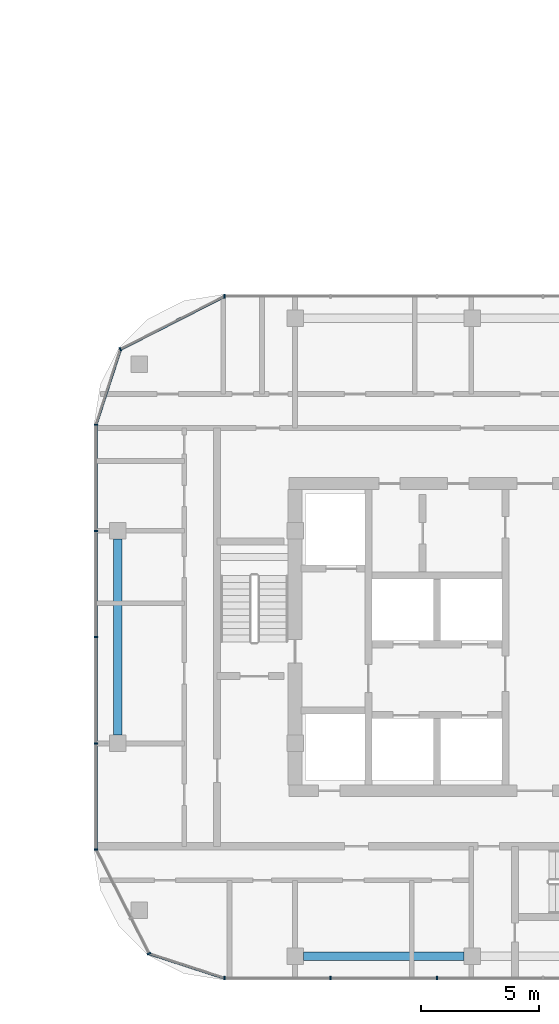
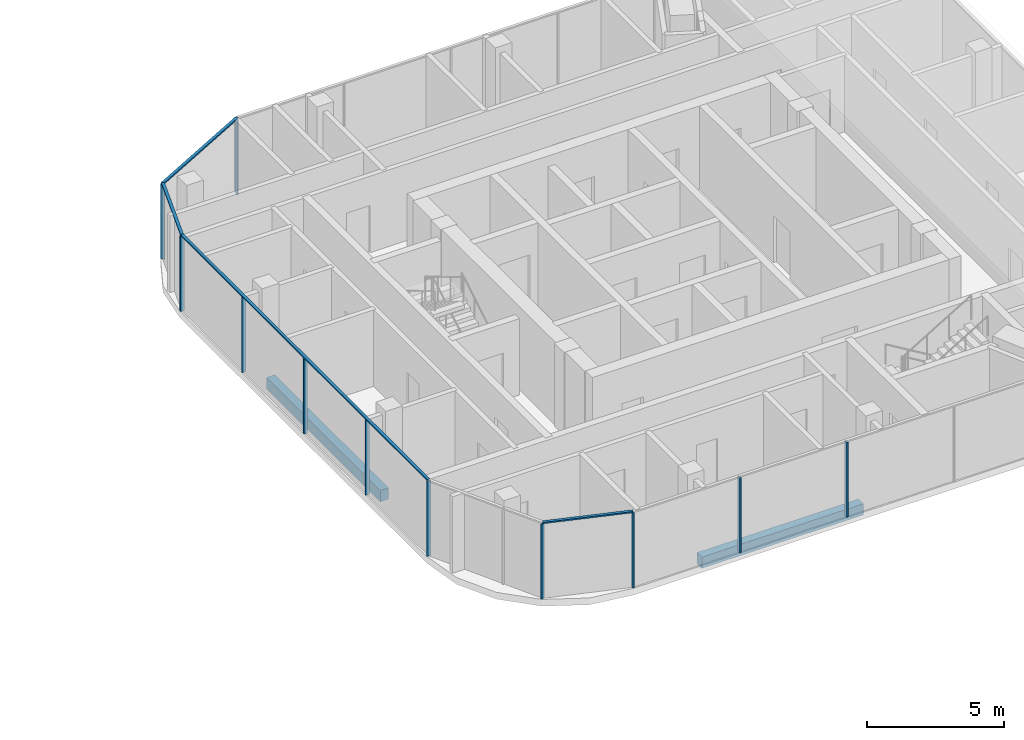
# One storey, part 7 of 35: 15 members, 2 beams, 5 elements without a shape of their own.
"""IFC4 building model written with IfcOpenShell, lengths in metres."""

from ifc_helpers import new_model, si_unit, direction, frame, origin, origin_2d, place, context, subcontext, project, spatial, rectangle, extrude, material, material_profile, profile_set, type_object, element, aggregate, save


model = new_model("IFC4")

# Units and contexts
model_context = context("Model", 3, precision=1e-05, world=origin(), true_north=direction((0.0, 1.0)))
body_context = subcontext(model_context, "Body", "Model", "MODEL_VIEW")
ifc_project = project(units=[si_unit("LENGTHUNIT", "METRE"), si_unit("AREAUNIT", "SQUARE_METRE"), si_unit("VOLUMEUNIT", "CUBIC_METRE"), si_unit("PLANEANGLEUNIT", "RADIAN"), si_unit("MASSUNIT", "GRAM", prefix="KILO")], contexts=[model_context])

# Site, building, storey
site_placement = place(None, origin())
site = spatial("IfcSite", under=ifc_project, at=site_placement, CompositionType="ELEMENT")
building_placement = place(site_placement, origin())
building = spatial("IfcBuilding", under=site, at=building_placement, Name="Ogive Portal Towers", CompositionType="ELEMENT")
storey_placement = place(building_placement, frame((0.0, 0.0, 90.800048828125)))
storey = spatial("IfcBuildingStorey", under=building, at=storey_placement, Name="L21", CompositionType="ELEMENT", Elevation=90.800048828125)

# Curtain wall, members
ifc_material_1 = material(Name="Glass, clear low-iron insulated glazing", Category="glass")
curtain_wall_type = type_object("IfcCurtainWallType", Name="CW RESIDENCES RIBBON", PredefinedType="NOTDEFINED", material=ifc_material_1)
curtain_wall_1_placement = place(storey_placement, origin())
curtain_wall_1 = element("IfcCurtainWall", 1, at=curtain_wall_1_placement, inside=storey, type_object=curtain_wall_type, Name="B:L21:f02:cw0", PredefinedType="NOTDEFINED")
ifc_material_2 = material(Name="Aluminium 6063 anodised", Category="aluminium")
ifc_material_profile_1 = material_profile(ifc_material_2, rectangle(XDim=0.159912109375, YDim=0.06005859375, at=origin_2d()), Name="AL 60x160")
ifc_profile_set_1 = profile_set([ifc_material_profile_1], Name="Aluminium 6063 anodised")
member_type_1 = type_object("IfcMemberType", Name="CW MULLION 60x160", PredefinedType="MULLION", material=ifc_profile_set_1)
member_1_placement = place(storey_placement, frame((126.0126953125, 16.570068359375, 0.0), z_axis=(0.0, 0.0, 1.0), x_axis=(0.0, 1.0, 0.0)))
member_1 = element("IfcMember", 2, at=member_1_placement, type_object=member_type_1, Name="mullion", PredefinedType="MULLION", context=body_context, shape_type="SweptSolid", body=[
    extrude(rectangle(XDim=0.159912109375, YDim=0.06005859375, at=origin_2d()), origin(), (0.0, 0.0, 1.0), 3.33984375),
])
member_2_placement = place(storey_placement, frame((130.5, 16.570068359375, 0.0), z_axis=(0.0, 0.0, 1.0), x_axis=(0.0, 1.0, 0.0)))
member_2 = element("IfcMember", 3, at=member_2_placement, type_object=member_type_1, Name="mullion", PredefinedType="MULLION", context=body_context, shape_type="SweptSolid", body=[
    extrude(rectangle(XDim=0.159912109375, YDim=0.06005859375, at=origin_2d()), origin(), (0.0, 0.0, 1.0), 3.33984375),
])
member_3_placement = place(storey_placement, frame((135.0, 16.570068359375, 0.0), z_axis=(0.0, 0.0, 1.0), x_axis=(0.0, 1.0, 0.0)))
member_3 = element("IfcMember", 4, at=member_3_placement, type_object=member_type_1, Name="mullion", PredefinedType="MULLION", context=body_context, shape_type="SweptSolid", body=[
    extrude(rectangle(XDim=0.159912109375, YDim=0.06005859375, at=origin_2d()), origin(), (0.0, 0.0, 1.0), 3.33984375),
])
aggregate(curtain_wall_1, [member_1, member_2, member_3])

# Curtain wall, member
curtain_wall_2_placement = place(storey_placement, origin())
curtain_wall_2 = element("IfcCurtainWall", 5, at=curtain_wall_2_placement, inside=storey, type_object=curtain_wall_type, Name="B:L21:f08:cw0", PredefinedType="NOTDEFINED")
member_4_placement = place(storey_placement, frame((126.019287109375, 45.429931640625, 0.0), z_axis=(0.0, 0.0, 1.0), x_axis=(0.0, -1.0, 0.0)))
member_4 = element("IfcMember", 6, at=member_4_placement, type_object=member_type_1, Name="mullion", PredefinedType="MULLION", context=body_context, shape_type="SweptSolid", body=[
    extrude(rectangle(XDim=0.159912109375, YDim=0.06005859375, at=origin_2d()), origin(), (0.0, 0.0, 1.0), 3.33984375),
])
aggregate(curtain_wall_2, [member_4])

# Curtain wall, members
curtain_wall_3_placement = place(storey_placement, origin())
curtain_wall_3 = element("IfcCurtainWall", 7, at=curtain_wall_3_placement, inside=storey, type_object=curtain_wall_type, Name="B:L21:f11:cw0", PredefinedType="NOTDEFINED")
member_5_placement = place(storey_placement, frame((120.570068359375, 39.9873046875, 0.0), z_axis=(0.0, 0.0, 1.0), x_axis=(1.0, 0.0, 0.0)))
member_5 = element("IfcMember", 8, at=member_5_placement, type_object=member_type_1, Name="mullion", PredefinedType="MULLION", context=body_context, shape_type="SweptSolid", body=[
    extrude(rectangle(XDim=0.159912109375, YDim=0.06005859375, at=origin_2d()), origin(), (0.0, 0.0, 1.0), 3.33984375),
])
member_6_placement = place(storey_placement, frame((120.570068359375, 35.5, 0.0), z_axis=(0.0, 0.0, 1.0), x_axis=(1.0, 0.0, 0.0)))
member_6 = element("IfcMember", 9, at=member_6_placement, type_object=member_type_1, Name="mullion", PredefinedType="MULLION", context=body_context, shape_type="SweptSolid", body=[
    extrude(rectangle(XDim=0.159912109375, YDim=0.06005859375, at=origin_2d()), origin(), (0.0, 0.0, 1.0), 3.33984375),
])
member_7_placement = place(storey_placement, frame((120.570068359375, 31.0, 0.0), z_axis=(0.0, 0.0, 1.0), x_axis=(1.0, 0.0, 0.0)))
member_7 = element("IfcMember", 10, at=member_7_placement, type_object=member_type_1, Name="mullion", PredefinedType="MULLION", context=body_context, shape_type="SweptSolid", body=[
    extrude(rectangle(XDim=0.159912109375, YDim=0.06005859375, at=origin_2d()), origin(), (0.0, 0.0, 1.0), 3.33984375),
])
member_8_placement = place(storey_placement, frame((120.570068359375, 26.5, 0.0), z_axis=(0.0, 0.0, 1.0), x_axis=(1.0, 0.0, 0.0)))
member_8 = element("IfcMember", 11, at=member_8_placement, type_object=member_type_1, Name="mullion", PredefinedType="MULLION", context=body_context, shape_type="SweptSolid", body=[
    extrude(rectangle(XDim=0.159912109375, YDim=0.06005859375, at=origin_2d()), origin(), (0.0, 0.0, 1.0), 3.33984375),
])
member_9_placement = place(storey_placement, frame((120.570068359375, 22.019287109375, 0.0), z_axis=(0.0, 0.0, 1.0), x_axis=(1.0, 0.0, 0.0)))
member_9 = element("IfcMember", 12, at=member_9_placement, type_object=member_type_1, Name="mullion", PredefinedType="MULLION", context=body_context, shape_type="SweptSolid", body=[
    extrude(rectangle(XDim=0.159912109375, YDim=0.06005859375, at=origin_2d()), origin(), (0.0, 0.0, 1.0), 3.33984375),
])

# Curtain wall, member
curtain_wall_4_placement = place(storey_placement, origin())
curtain_wall_4 = element("IfcCurtainWall", 13, at=curtain_wall_4_placement, inside=storey, type_object=curtain_wall_type, Name="B:L21:f00:cwa~1", PredefinedType="NOTDEFINED")
member_10_placement = place(storey_placement, frame((122.817626953125, 17.608154296875, 0.0), z_axis=(0.0, 0.0, 1.0), x_axis=(0.891006524188, 0.45399049974, 0.0)))
member_10 = element("IfcMember", 14, at=member_10_placement, type_object=member_type_1, Name="mullion", PredefinedType="MULLION", context=body_context, shape_type="SweptSolid", body=[
    extrude(rectangle(XDim=0.159912109375, YDim=0.06005859375, at=origin_2d()), origin(), (0.0, 0.0, 1.0), 3.33984375),
])

curtain_wall_5_placement = place(storey_placement, origin())
curtain_wall_5 = element("IfcCurtainWall", 15, at=curtain_wall_5_placement, inside=storey, type_object=curtain_wall_type, Name="B:L21:f09:cwa", PredefinedType="NOTDEFINED")
member_11_placement = place(storey_placement, frame((121.608154296875, 43.182373046875, 0.0), z_axis=(0.0, 0.0, 1.0), x_axis=(0.45399049974, -0.891006524188, 0.0)))
member_11 = element("IfcMember", 16, at=member_11_placement, type_object=member_type_1, Name="mullion", PredefinedType="MULLION", context=body_context, shape_type="SweptSolid", body=[
    extrude(rectangle(XDim=0.159912109375, YDim=0.06005859375, at=origin_2d()), origin(), (0.0, 0.0, 1.0), 3.33984375),
])

# Member
ifc_material_profile_2 = material_profile(ifc_material_2, rectangle(XDim=0.1201171875, YDim=0.06005859375, at=origin_2d()), Name="AL 120x60")
ifc_profile_set_2 = profile_set([ifc_material_profile_2], Name="Aluminium 6063 anodised")
member_type_2 = type_object("IfcMemberType", Name="CW TRANSOM 60x120", PredefinedType="USERDEFINED", material=ifc_profile_set_2)
member_12_placement = place(storey_placement, frame((120.570068359375, 39.9873046875, 3.369873046875), z_axis=(0.0, -1.0, 0.0), x_axis=(1.0, 0.0, 0.0)))
member_12 = element("IfcMember", 17, at=member_12_placement, type_object=member_type_2, Name="transom", ObjectType="TRANSOM", PredefinedType="USERDEFINED", context=body_context, shape_type="SweptSolid", body=[
    extrude(rectangle(XDim=0.1201171875, YDim=0.06005859375, at=origin_2d()), origin(), (0.0, 0.0, 1.0), 17.968017578125),
])

aggregate(curtain_wall_3, [member_12, member_5, member_6, member_7, member_8, member_9])

member_13_placement = place(storey_placement, frame((122.817626953125, 17.608154296875, 3.369873046875), z_axis=(0.951061301714, -0.309002265981, 0.0), x_axis=(0.309002265981, 0.951061301714, 0.0)))
member_13 = element("IfcMember", 18, at=member_13_placement, type_object=member_type_2, Name="transom", ObjectType="TRANSOM", PredefinedType="USERDEFINED", context=body_context, shape_type="SweptSolid", body=[
    extrude(rectangle(XDim=0.1201171875, YDim=0.06005859375, at=origin_2d()), origin(), (0.0, 0.0, 1.0), 3.359375),
])

aggregate(curtain_wall_4, [member_13, member_10])

member_14_placement = place(storey_placement, frame((126.019287109375, 45.429931640625, 3.369873046875), z_axis=(-0.891008635106, -0.453986356807, 0.0), x_axis=(0.453986356807, -0.891008635106, 0.0)))
member_14 = element("IfcMember", 19, at=member_14_placement, type_object=member_type_2, Name="transom", ObjectType="TRANSOM", PredefinedType="USERDEFINED", context=body_context, shape_type="SweptSolid", body=[
    extrude(rectangle(XDim=0.1201171875, YDim=0.06005859375, at=origin_2d()), origin(), (0.0, 0.0, 1.0), 4.95068359375),
])

member_15_placement = place(storey_placement, frame((121.608154296875, 43.182373046875, 3.369873046875), z_axis=(-0.309002265981, -0.951061301714, 0.0), x_axis=(0.951061301714, -0.309002265981, 0.0)))
member_15 = element("IfcMember", 20, at=member_15_placement, type_object=member_type_2, Name="transom", ObjectType="TRANSOM", PredefinedType="USERDEFINED", context=body_context, shape_type="SweptSolid", body=[
    extrude(rectangle(XDim=0.1201171875, YDim=0.06005859375, at=origin_2d()), origin(), (0.0, 0.0, 1.0), 3.359375),
])

aggregate(curtain_wall_5, [member_14, member_15, member_11])

# Beams
ifc_material_3 = material(Name="Concrete C50/60", Category="concrete")
ifc_material_profile_3 = material_profile(ifc_material_3, rectangle(XDim=0.35009765625, YDim=0.5, at=origin_2d()), Name="RC 350x500")
ifc_profile_set_3 = profile_set([ifc_material_profile_3], Name="Concrete C50/60")
beam_type = type_object("IfcBeamType", Name="SPANDREL BEAM RC 350x500", PredefinedType="BEAM", material=ifc_profile_set_3)
beam_1_placement = place(storey_placement, frame((129.35009765625, 17.5, -0.550048828125), z_axis=(1.0, 0.0, 0.0), x_axis=(0.0, 1.0, 0.0)))
element("IfcBeam", 21, at=beam_1_placement, inside=storey, type_object=beam_type, Name="Spandrel beam L21", PredefinedType="BEAM", context=body_context, shape_type="SweptSolid", body=[
    extrude(rectangle(XDim=0.35009765625, YDim=0.5, at=origin_2d()), origin(), (0.0, 0.0, 1.0), 6.7998046875),
])
beam_2_placement = place(storey_placement, frame((121.5, 35.14990234375, -0.550048828125), z_axis=(0.0, -1.0, 0.0), x_axis=(1.0, 0.0, 0.0)))
element("IfcBeam", 22, at=beam_2_placement, inside=storey, type_object=beam_type, Name="Spandrel beam L21", PredefinedType="BEAM", context=body_context, shape_type="SweptSolid", body=[
    extrude(rectangle(XDim=0.35009765625, YDim=0.5, at=origin_2d()), origin(), (0.0, 0.0, 1.0), 8.2998046875),
])

save(model, "model.ifc")
